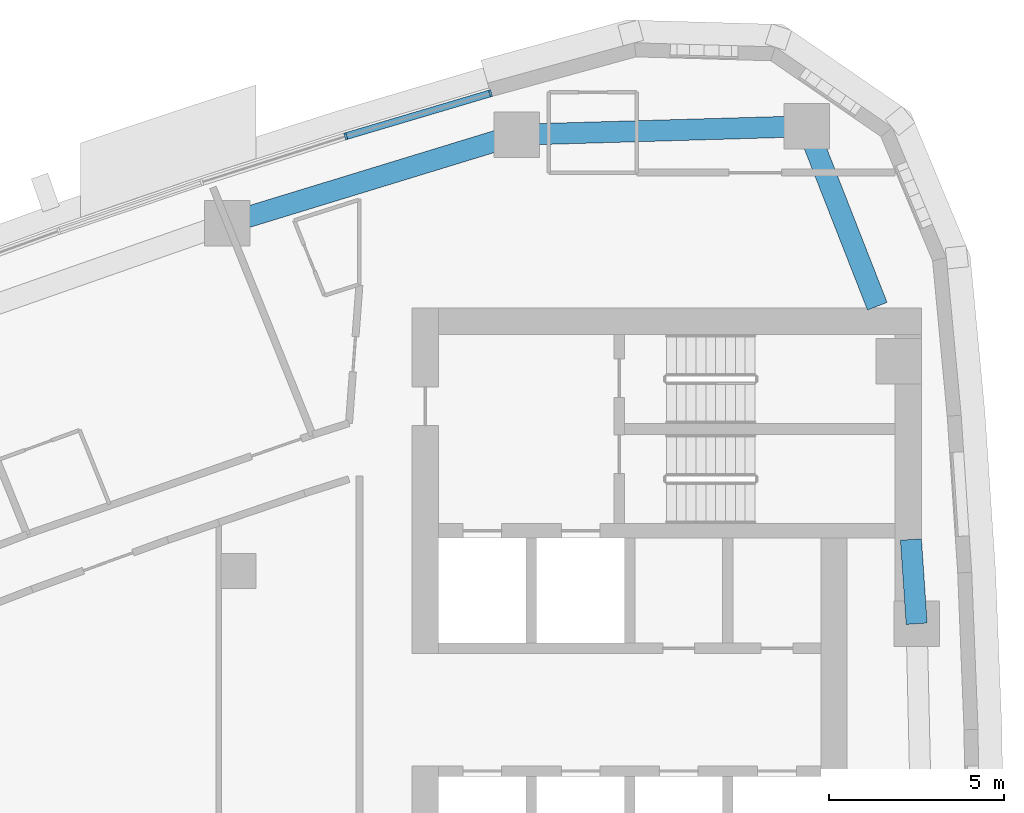
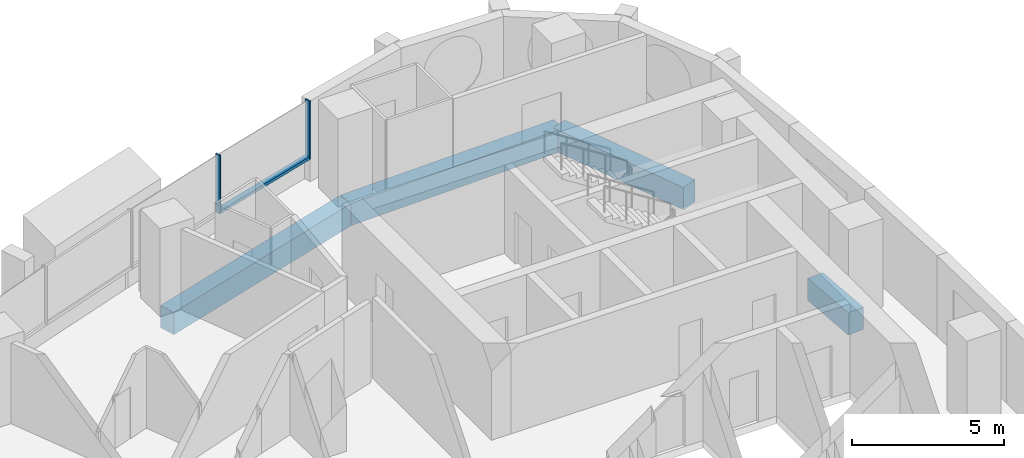
# One storey, part 7 of 17: 4 beams, 3 members, 1 element without a shape of its own.
"""IFC4 building model written with IfcOpenShell, lengths in metres."""

from ifc_helpers import new_model, si_unit, direction, frame, origin, origin_2d, place, context, subcontext, project, spatial, rectangle, extrude, material, layer, layer_set, material_profile, profile_set, type_object, element, aggregate, save


model = new_model("IFC4")

# Units and contexts
model_context = context("Model", 3, precision=1e-05, world=origin(), true_north=direction((0.0, 1.0)))
body_context = subcontext(model_context, "Body", "Model", "MODEL_VIEW")
ifc_project = project(units=[si_unit("LENGTHUNIT", "METRE"), si_unit("AREAUNIT", "SQUARE_METRE"), si_unit("VOLUMEUNIT", "CUBIC_METRE"), si_unit("PLANEANGLEUNIT", "RADIAN"), si_unit("MASSUNIT", "GRAM", prefix="KILO")], contexts=[model_context])

# Site, building, storey
site_placement = place(None, origin())
site = spatial("IfcSite", under=ifc_project, at=site_placement, CompositionType="ELEMENT")
building_placement = place(site_placement, origin())
building = spatial("IfcBuilding", under=site, at=building_placement, Name="Ostrand Prow Hotel Tower", CompositionType="ELEMENT")
storey_placement = place(building_placement, frame((0.0, 0.0, 200.35009765625)))
storey = spatial("IfcBuildingStorey", under=building, at=storey_placement, Name="L50", CompositionType="ELEMENT", Elevation=200.35009765625)

# Beams
ifc_material_1 = material(Name="Concrete C60/75", Category="concrete")
ifc_material_profile_1 = material_profile(ifc_material_1, rectangle(XDim=0.60009765625, YDim=0.89990234375, at=origin_2d()), Name="RC 600x900")
ifc_profile_set_1 = profile_set([ifc_material_profile_1], Name="Concrete C60/75")
beam_type = type_object("IfcBeamType", Name="Edge beam 600x900 C60/75", PredefinedType="SPANDREL", material=ifc_profile_set_1)
beam_1_placement = place(storey_placement, frame((64.330322265625, 7.499267578125, -0.75), z_axis=(-0.067778284608, 0.997700408006, 0.0), x_axis=(-0.997700408006, -0.067778284608, 0.0)))
element("IfcBeam", 1, at=beam_1_placement, inside=storey, type_object=beam_type, Name="Edge beam B4-B5", PredefinedType="SPANDREL", context=body_context, shape_type="SweptSolid", body=[
    extrude(rectangle(XDim=0.60009765625, YDim=0.89990234375, at=origin_2d()), origin(), (0.0, 0.0, 1.0), 2.40625),
])
beam_2_placement = place(storey_placement, frame((63.2080078125, 16.550048828125, -0.75), z_axis=(-0.364802049817, 0.931085100541, 0.0), x_axis=(-0.931085100541, -0.364802049817, 0.0)))
element("IfcBeam", 2, at=beam_2_placement, inside=storey, type_object=beam_type, Name="Edge beam B5-NE", PredefinedType="SPANDREL", context=body_context, shape_type="SweptSolid", body=[
    extrude(rectangle(XDim=0.60009765625, YDim=0.89990234375, at=origin_2d()), origin(), (0.0, 0.0, 1.0), 5.508544921875),
])
beam_3_placement = place(storey_placement, frame((61.198486328125, 21.678955078125, -0.75), z_axis=(-0.999575901438, -0.029120735993, 0.0), x_axis=(0.029120735993, -0.999575901438, 0.0)))
element("IfcBeam", 3, at=beam_3_placement, inside=storey, type_object=beam_type, Name="Edge beam NE-N1", PredefinedType="SPANDREL", context=body_context, shape_type="SweptSolid", body=[
    extrude(rectangle(XDim=0.60009765625, YDim=0.89990234375, at=origin_2d()), origin(), (0.0, 0.0, 1.0), 8.274658203125),
])
beam_4_placement = place(storey_placement, frame((52.92724609375, 21.43798828125, -0.75), z_axis=(-0.956245556413, -0.292565267659, 0.0), x_axis=(0.292565267659, -0.956245556413, 0.0)))
element("IfcBeam", 4, at=beam_4_placement, inside=storey, type_object=beam_type, Name="Edge beam N1-N2", PredefinedType="SPANDREL", context=body_context, shape_type="SweptSolid", body=[
    extrude(rectangle(XDim=0.60009765625, YDim=0.89990234375, at=origin_2d()), origin(), (0.0, 0.0, 1.0), 8.621826171875),
])

# Curtain wall, members
ifc_material_2 = material(Name="Insulated glass in bronze anodised frame", Category="glass")
ifc_layer = layer(ifc_material_2, 0.199951171875)
ifc_layer_set = layer_set([ifc_layer], Name="Insulated glass in bronze anodised frame")
curtain_wall_type = type_object("IfcCurtainWallType", Name="Strip curtain wall, fritted glass over bronze spandrel", PredefinedType="NOTDEFINED", material=ifc_layer_set)
curtain_wall_placement = place(storey_placement, origin())
curtain_wall = element("IfcCurtainWall", 5, at=curtain_wall_placement, inside=storey, type_object=curtain_wall_type, Name="CW1 run CWN1", PredefinedType="NOTDEFINED")
ifc_material_3 = material(Name="Bronze anodised aluminium", Category="aluminium")
ifc_material_profile_2 = material_profile(ifc_material_3, rectangle(XDim=0.199951171875, YDim=0.06005859375, at=origin_2d()), Name="Mullion 60x200 bronze anodised aluminium")
ifc_profile_set_2 = profile_set([ifc_material_profile_2], Name="Bronze anodised aluminium")
member_type_1 = type_object("IfcMemberType", Name="Mullion 60x200 bronze anodised aluminium", PredefinedType="MULLION", material=ifc_profile_set_2)
member_1_placement = place(storey_placement, frame((52.182373046875, 22.619384765625, 0.89990234375), z_axis=(0.0, 0.0, 1.0), x_axis=(0.284544113619, -0.958662947758, 0.0)))
member_1 = element("IfcMember", 6, at=member_1_placement, type_object=member_type_1, Name="CW1 mullion 1", PredefinedType="MULLION", context=body_context, shape_type="SweptSolid", body=[
    extrude(rectangle(XDim=0.199951171875, YDim=0.06005859375, at=origin_2d()), origin(), (0.0, 0.0, 1.0), 2.35009765625),
])
member_2_placement = place(storey_placement, frame((48.055419921875, 21.39453125, 0.89990234375), z_axis=(0.0, 0.0, 1.0), x_axis=(0.303786970008, -0.952739983864, 0.0)))
member_2 = element("IfcMember", 7, at=member_2_placement, type_object=member_type_1, Name="CW1 mullion 2", PredefinedType="MULLION", context=body_context, shape_type="SweptSolid", body=[
    extrude(rectangle(XDim=0.199951171875, YDim=0.06005859375, at=origin_2d()), origin(), (0.0, 0.0, 1.0), 2.35009765625),
])
ifc_material_4 = material(Name="Bronze anodised aluminium", Category="aluminium")
ifc_material_profile_3 = material_profile(ifc_material_4, rectangle(XDim=0.199951171875, YDim=0.1201171875, at=origin_2d()), Name="Transom 120x200 bronze anodised aluminium")
ifc_profile_set_3 = profile_set([ifc_material_profile_3], Name="Bronze anodised aluminium")
member_type_2 = type_object("IfcMemberType", Name="Transom 120x200 bronze anodised aluminium", PredefinedType="USERDEFINED", material=ifc_profile_set_3)
member_3_placement = place(storey_placement, frame((52.15380859375, 22.611083984375, 0.9599609375), z_axis=(-0.958661084062, -0.284550392558, 0.0), x_axis=(0.284550392558, -0.958661084062, 0.0)))
member_3 = element("IfcMember", 8, at=member_3_placement, type_object=member_type_2, Name="CW1 transom 1.1", ObjectType="TRANSOM", PredefinedType="USERDEFINED", context=body_context, shape_type="SweptSolid", body=[
    extrude(rectangle(XDim=0.199951171875, YDim=0.1201171875, at=origin_2d()), origin(), (0.0, 0.0, 1.0), 4.245361328125),
])
aggregate(curtain_wall, [member_1, member_2, member_3])

save(model, "model.ifc")
